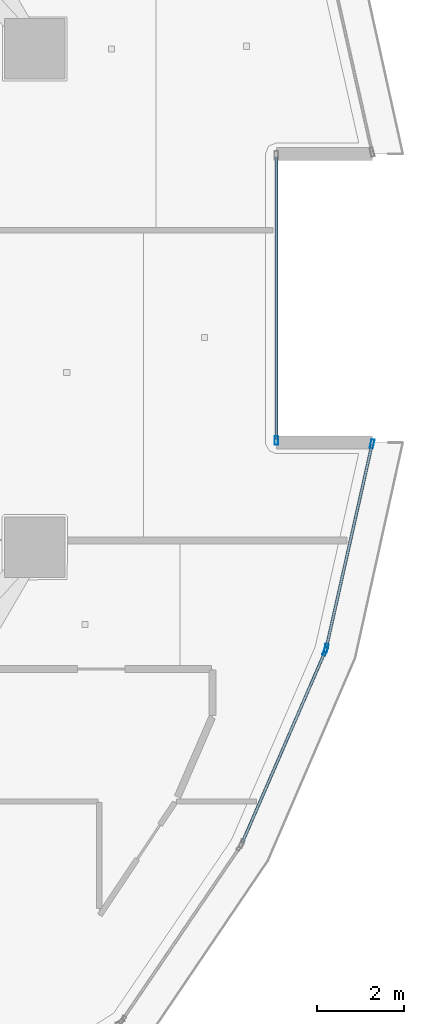
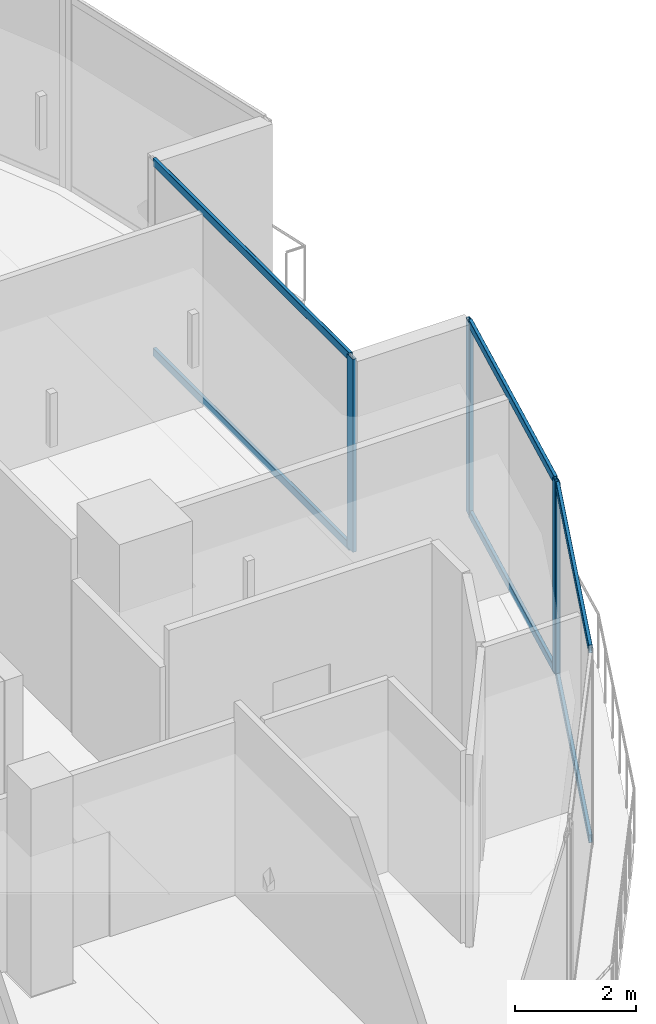
# One storey, part 8 of 23: 10 members, 3 elements without a shape of their own.
"""IFC4 building model written with IfcOpenShell, lengths in metres."""

from ifc_helpers import new_model, si_unit, direction, frame, origin, origin_2d, place, context, subcontext, project, spatial, hollow_rectangle, extrude, material, layer, layer_set, material_profile, profile_set, type_object, element, aggregate, save


model = new_model("IFC4")

# Units and contexts
model_context = context("Model", 3, precision=1e-05, world=origin(), true_north=direction((0.0, 1.0)))
body_context = subcontext(model_context, "Body", "Model", "MODEL_VIEW")
ifc_project = project(units=[si_unit("LENGTHUNIT", "METRE"), si_unit("AREAUNIT", "SQUARE_METRE"), si_unit("VOLUMEUNIT", "CUBIC_METRE"), si_unit("PLANEANGLEUNIT", "RADIAN"), si_unit("MASSUNIT", "GRAM", prefix="KILO")], contexts=[model_context])

# Site, building, storey
site_placement = place(None, origin())
site = spatial("IfcSite", under=ifc_project, at=site_placement, CompositionType="ELEMENT")
building_placement = place(site_placement, origin())
building = spatial("IfcBuilding", under=site, at=building_placement, Name="Qorvath Tower", CompositionType="ELEMENT")
storey_placement = place(building_placement, frame((0.0, 0.0, 310.199951171875)))
storey = spatial("IfcBuildingStorey", under=building, at=storey_placement, Name="L72", CompositionType="ELEMENT", Elevation=310.199951171875)

# Curtain wall, member
ifc_material_1 = material(Name="Anodised aluminium and triple low-E glass", Category="aluminium")
ifc_layer = layer(ifc_material_1, 0.179931640625)
ifc_layer_set = layer_set([ifc_layer], Name="CW-SYS-4")
curtain_wall_type = type_object("IfcCurtainWallType", Name="CW-SYS-4", PredefinedType="NOTDEFINED", material=ifc_layer_set)
curtain_wall_1_placement = place(storey_placement, origin())
curtain_wall_1 = element("IfcCurtainWall", 1, at=curtain_wall_1_placement, inside=storey, type_object=curtain_wall_type, Name="Curtain Wall CW-4 CW-T-L72-6.1", PredefinedType="NOTDEFINED")
ifc_material_2 = material(Name="Anodised aluminium 6063-T6", Category="aluminium")
ifc_material_profile_1 = material_profile(ifc_material_2, hollow_rectangle(XDim=0.074951171875, YDim=0.199951171875, WallThickness=0.00390625, InnerFilletRadius=0.00390625, OuterFilletRadius=0.008056640625, at=origin_2d()), Name="CWM 200x75")
ifc_profile_set_1 = profile_set([ifc_material_profile_1], Name="Anodised aluminium 6063-T6")
member_type_1 = type_object("IfcMemberType", Name="CWM-200", PredefinedType="MULLION", material=ifc_profile_set_1)
member_1_placement = place(storey_placement, frame((-5.388427734375, -8.165283203125, 0.0), z_axis=(0.0, 0.0, 1.0), x_axis=(-0.917487130647, 0.397765464938, 0.0)))
member_1 = element("IfcMember", 2, at=member_1_placement, type_object=member_type_1, Name="CW-4 mullion 2", PredefinedType="MULLION", context=body_context, shape_type="SweptSolid", body=[
    extrude(hollow_rectangle(XDim=0.074951171875, YDim=0.199951171875, WallThickness=0.00390625, InnerFilletRadius=0.00390625, OuterFilletRadius=0.008056640625, at=origin_2d()), origin(), (0.0, 0.0, 1.0), 3.91015625),
])

# Curtain wall, members
curtain_wall_2_placement = place(storey_placement, origin())
curtain_wall_2 = element("IfcCurtainWall", 3, at=curtain_wall_2_placement, inside=storey, type_object=curtain_wall_type, Name="Curtain Wall CW-4 CW-T-L72-7.1", PredefinedType="NOTDEFINED")
member_2_placement = place(storey_placement, frame((-5.365234375, -8.09423828125, 0.0), z_axis=(0.0, 0.0, 1.0), x_axis=(-0.975618353838, 0.219473979449, 0.0)))
member_2 = element("IfcMember", 4, at=member_2_placement, type_object=member_type_1, Name="CW-4 mullion 1", PredefinedType="MULLION", context=body_context, shape_type="SweptSolid", body=[
    extrude(hollow_rectangle(XDim=0.074951171875, YDim=0.199951171875, WallThickness=0.00390625, InnerFilletRadius=0.00390625, OuterFilletRadius=0.008056640625, at=origin_2d()), origin(), (0.0, 0.0, 1.0), 3.91015625),
])
member_3_placement = place(storey_placement, frame((-4.30224609375, -3.368408203125, 0.0), z_axis=(0.0, 0.0, 1.0), x_axis=(-0.975618353838, 0.219473979449, 0.0)))
member_3 = element("IfcMember", 5, at=member_3_placement, type_object=member_type_1, Name="CW-4 mullion 2", PredefinedType="MULLION", context=body_context, shape_type="SweptSolid", body=[
    extrude(hollow_rectangle(XDim=0.074951171875, YDim=0.199951171875, WallThickness=0.00390625, InnerFilletRadius=0.00390625, OuterFilletRadius=0.008056640625, at=origin_2d()), origin(), (0.0, 0.0, 1.0), 3.91015625),
])

# Curtain wall, member
curtain_wall_3_placement = place(storey_placement, origin())
curtain_wall_3 = element("IfcCurtainWall", 6, at=curtain_wall_3_placement, inside=storey, type_object=curtain_wall_type, Name="Curtain Wall CW-4 CW-T-L72-9.1", PredefinedType="NOTDEFINED")
member_4_placement = place(storey_placement, frame((-6.51513671875, -3.294189453125, 0.0), z_axis=(0.0, 0.0, 1.0), x_axis=(-1.0, 0.0, 0.0)))
member_4 = element("IfcMember", 7, at=member_4_placement, type_object=member_type_1, Name="CW-4 mullion 1", PredefinedType="MULLION", context=body_context, shape_type="SweptSolid", body=[
    extrude(hollow_rectangle(XDim=0.074951171875, YDim=0.199951171875, WallThickness=0.00390625, InnerFilletRadius=0.00390625, OuterFilletRadius=0.008056640625, at=origin_2d()), origin(), (0.0, 0.0, 1.0), 3.91015625),
])

# Member
ifc_material_3 = material(Name="Anodised aluminium 6063-T6", Category="aluminium")
ifc_material_profile_2 = material_profile(ifc_material_3, hollow_rectangle(XDim=0.06494140625, YDim=0.159912109375, WallThickness=0.00341796875, InnerFilletRadius=0.00341796875, OuterFilletRadius=0.007080078125, at=origin_2d()), Name="CWT 160x65")
ifc_profile_set_2 = profile_set([ifc_material_profile_2], Name="Anodised aluminium 6063-T6")
member_type_2 = type_object("IfcMemberType", Name="CWT-160", PredefinedType="USERDEFINED", material=ifc_profile_set_2)
member_5_placement = place(storey_placement, frame((-7.30029296875, -12.5751953125, 0.032470703125), z_axis=(0.397771211249, 0.917484639382, 0.0), x_axis=(-0.917484639382, 0.397771211249, 0.0)))
member_5 = element("IfcMember", 8, at=member_5_placement, type_object=member_type_2, Name="CW-4 transom 1.1", ObjectType="TRANSOM", PredefinedType="USERDEFINED", context=body_context, shape_type="SweptSolid", body=[
    extrude(hollow_rectangle(XDim=0.06494140625, YDim=0.159912109375, WallThickness=0.00341796875, InnerFilletRadius=0.00341796875, OuterFilletRadius=0.007080078125, at=origin_2d()), origin(), (0.0, 0.0, 1.0), 4.76904296875),
])

member_6_placement = place(storey_placement, frame((-7.30029296875, -12.5751953125, 3.877685546875), z_axis=(0.397771211249, 0.917484639382, 0.0), x_axis=(-0.917484639382, 0.397771211249, 0.0)))
member_6 = element("IfcMember", 9, at=member_6_placement, type_object=member_type_2, Name="CW-4 transom 1.2", ObjectType="TRANSOM", PredefinedType="USERDEFINED", context=body_context, shape_type="SweptSolid", body=[
    extrude(hollow_rectangle(XDim=0.06494140625, YDim=0.159912109375, WallThickness=0.00341796875, InnerFilletRadius=0.00341796875, OuterFilletRadius=0.007080078125, at=origin_2d()), origin(), (0.0, 0.0, 1.0), 4.76904296875),
])

aggregate(curtain_wall_1, [member_1, member_5, member_6])

member_7_placement = place(storey_placement, frame((-5.35693359375, -8.0576171875, 0.032470703125), z_axis=(0.2194719944, 0.97561880039, 0.0), x_axis=(-0.97561880039, 0.2194719944, 0.0)))
member_7 = element("IfcMember", 10, at=member_7_placement, type_object=member_type_2, Name="CW-4 transom 1.1", ObjectType="TRANSOM", PredefinedType="USERDEFINED", context=body_context, shape_type="SweptSolid", body=[
    extrude(hollow_rectangle(XDim=0.06494140625, YDim=0.159912109375, WallThickness=0.00341796875, InnerFilletRadius=0.00341796875, OuterFilletRadius=0.007080078125, at=origin_2d()), origin(), (0.0, 0.0, 1.0), 4.768798828125),
])

member_8_placement = place(storey_placement, frame((-5.35693359375, -8.0576171875, 3.877685546875), z_axis=(0.2194719944, 0.97561880039, 0.0), x_axis=(-0.97561880039, 0.2194719944, 0.0)))
member_8 = element("IfcMember", 11, at=member_8_placement, type_object=member_type_2, Name="CW-4 transom 1.2", ObjectType="TRANSOM", PredefinedType="USERDEFINED", context=body_context, shape_type="SweptSolid", body=[
    extrude(hollow_rectangle(XDim=0.06494140625, YDim=0.159912109375, WallThickness=0.00341796875, InnerFilletRadius=0.00341796875, OuterFilletRadius=0.007080078125, at=origin_2d()), origin(), (0.0, 0.0, 1.0), 4.768798828125),
])

aggregate(curtain_wall_2, [member_2, member_3, member_7, member_8])

member_9_placement = place(storey_placement, frame((-6.51513671875, -3.2568359375, 0.032470703125), z_axis=(0.0, 1.0, 0.0), x_axis=(-1.0, 0.0, 0.0)))
member_9 = element("IfcMember", 12, at=member_9_placement, type_object=member_type_2, Name="CW-4 transom 1.1", ObjectType="TRANSOM", PredefinedType="USERDEFINED", context=body_context, shape_type="SweptSolid", body=[
    extrude(hollow_rectangle(XDim=0.06494140625, YDim=0.159912109375, WallThickness=0.00341796875, InnerFilletRadius=0.00341796875, OuterFilletRadius=0.007080078125, at=origin_2d()), origin(), (0.0, 0.0, 1.0), 6.513671875),
])

member_10_placement = place(storey_placement, frame((-6.51513671875, -3.2568359375, 3.877685546875), z_axis=(0.0, 1.0, 0.0), x_axis=(-1.0, 0.0, 0.0)))
member_10 = element("IfcMember", 13, at=member_10_placement, type_object=member_type_2, Name="CW-4 transom 1.2", ObjectType="TRANSOM", PredefinedType="USERDEFINED", context=body_context, shape_type="SweptSolid", body=[
    extrude(hollow_rectangle(XDim=0.06494140625, YDim=0.159912109375, WallThickness=0.00341796875, InnerFilletRadius=0.00341796875, OuterFilletRadius=0.007080078125, at=origin_2d()), origin(), (0.0, 0.0, 1.0), 6.513671875),
])

aggregate(curtain_wall_3, [member_4, member_9, member_10])

save(model, "model.ifc")
